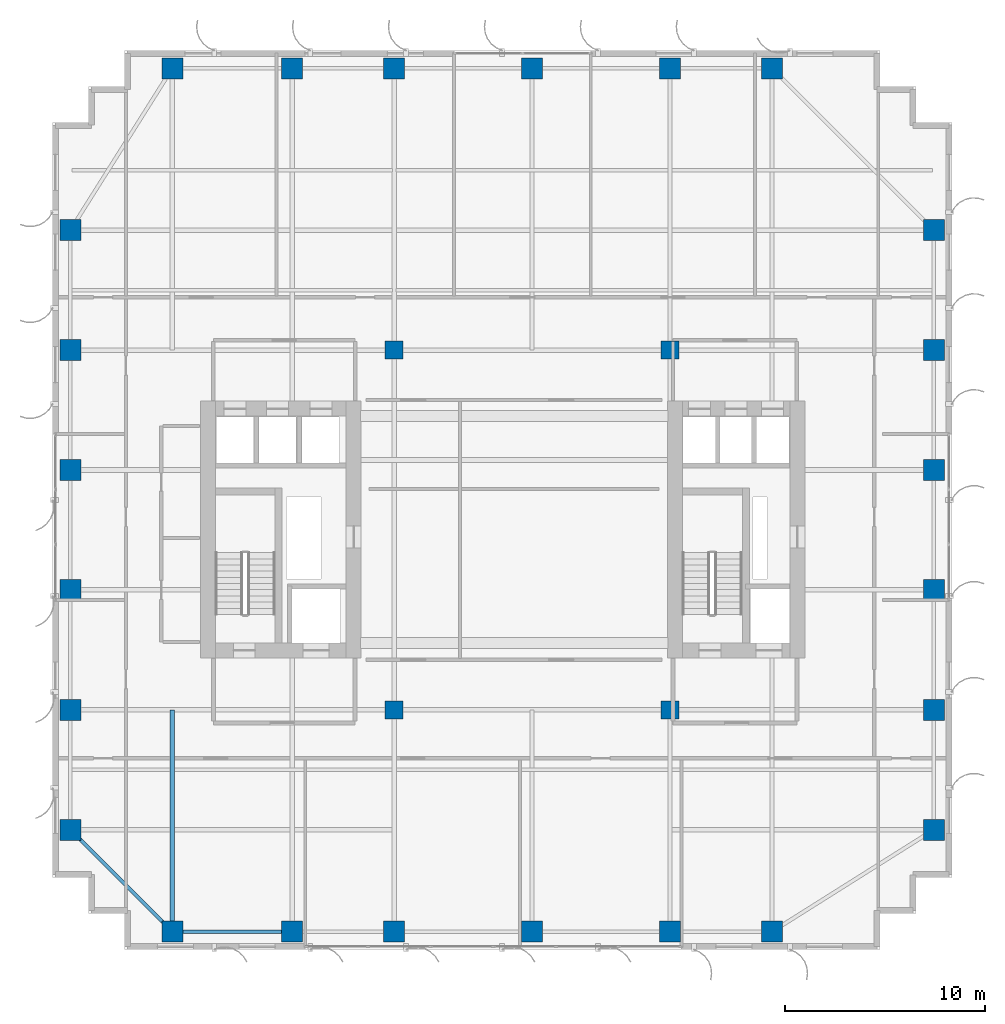
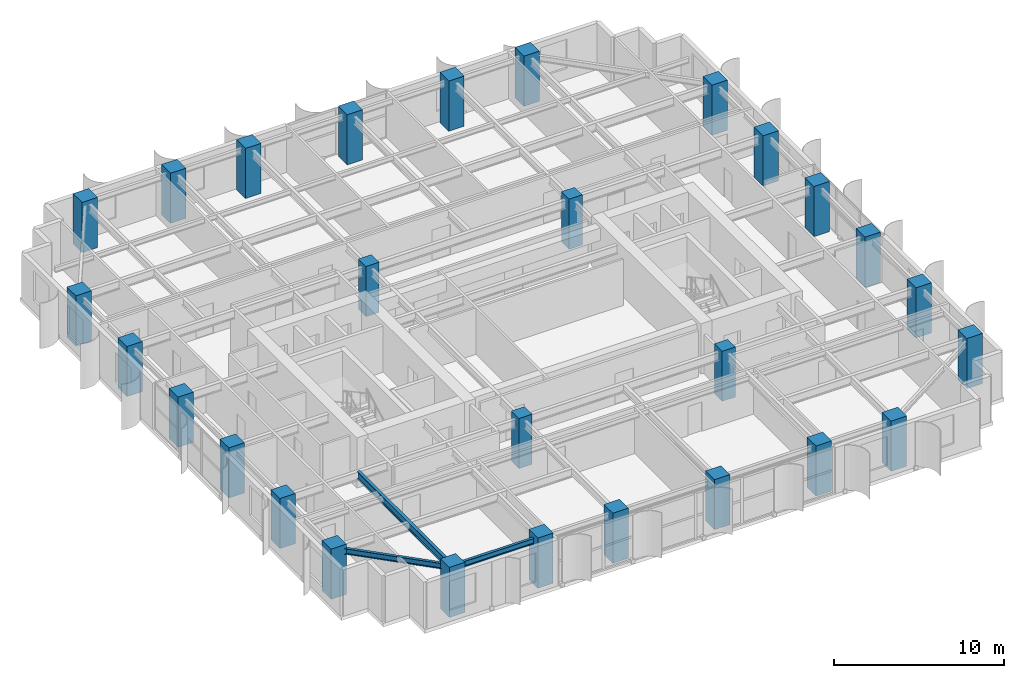
# One storey, part 1 of 22: 28 columns, 3 beams.
"""IFC4 building model written with IfcOpenShell, lengths in metres."""

from ifc_helpers import new_model, si_unit, direction, frame, origin, origin_2d, place, context, subcontext, project, spatial, rectangle, i_section, extrude, source, transform, mapped, material, material_profile, profile_set, type_object, element, save


model = new_model("IFC4")

# Units and contexts
model_context = context("Model", 3, precision=1e-05, world=origin(), true_north=direction((0.0, 1.0)))
body_context = subcontext(model_context, "Body", "Model", "MODEL_VIEW")
ifc_project = project(units=[si_unit("LENGTHUNIT", "METRE"), si_unit("AREAUNIT", "SQUARE_METRE"), si_unit("VOLUMEUNIT", "CUBIC_METRE"), si_unit("PLANEANGLEUNIT", "RADIAN"), si_unit("MASSUNIT", "GRAM", prefix="KILO")], contexts=[model_context])

# Site, building, storey
site_placement = place(None, origin())
site = spatial("IfcSite", under=ifc_project, at=site_placement, CompositionType="ELEMENT")
building_placement = place(site_placement, origin())
building = spatial("IfcBuilding", under=site, at=building_placement, Name="Khoralis Quay Care Tower", CompositionType="ELEMENT")
storey_placement = place(building_placement, frame((0.0, 0.0, 141.300048828125)))
storey = spatial("IfcBuildingStorey", under=building, at=storey_placement, Name="L37", CompositionType="ELEMENT", Elevation=141.300048828125)

# Columns
ifc_material_1 = material(Name="Concrete C65/80", Category="concrete")
ifc_material_profile_1 = material_profile(ifc_material_1, rectangle(XDim=1.050048828125, YDim=1.050048828125, at=origin_2d()), Name="Concrete C65/80")
ifc_profile_set_1 = profile_set([ifc_material_profile_1], Name="Concrete C65/80")
column_type_1 = type_object("IfcColumnType", Name="COL-C1050", PredefinedType="COLUMN", material=ifc_profile_set_1)
shared_shape_1 = source(origin(), body_context, "Body", "SweptSolid", [
    extrude(rectangle(XDim=1.050048828125, YDim=1.050048828125, at=origin_2d()), origin(), (0.0, 0.0, 1.0), 3.599853515625),
])
for number, where, z_axis, x_axis, name in (
    (1, (6.0, 0.89990234375, 0.0), (0.0, 0.0, 1.0), (1.0, 0.0, 0.0), "COL-TWR-L37-01"),
    (2, (6.0, 44.10009765625, 0.0), (0.0, 0.0, 1.0), (1.0, 0.0, 0.0), "COL-TWR-L37-02"),
    (3, (12.0, 0.89990234375, 0.0), (0.0, 0.0, 1.0), (1.0, 0.0, 0.0), "COL-TWR-L37-03"),
    (4, (12.0, 44.10009765625, 0.0), (0.0, 0.0, 1.0), (1.0, 0.0, 0.0), "COL-TWR-L37-04"),
    (5, (17.10009765625, 0.89990234375, 0.0), (0.0, 0.0, 1.0), (1.0, 0.0, 0.0), "COL-TWR-L37-05"),
    (6, (17.10009765625, 44.10009765625, 0.0), (0.0, 0.0, 1.0), (1.0, 0.0, 0.0), "COL-TWR-L37-06"),
    (7, (24.0, 0.89990234375, 0.0), (0.0, 0.0, 1.0), (1.0, 0.0, 0.0), "COL-TWR-L37-07"),
    (8, (24.0, 44.10009765625, 0.0), (0.0, 0.0, 1.0), (1.0, 0.0, 0.0), "COL-TWR-L37-08"),
    (9, (30.89990234375, 0.89990234375, 0.0), (0.0, 0.0, 1.0), (1.0, 0.0, 0.0), "COL-TWR-L37-09"),
    (10, (30.89990234375, 44.10009765625, 0.0), (0.0, 0.0, 1.0), (1.0, 0.0, 0.0), "COL-TWR-L37-10"),
    (11, (36.0, 0.89990234375, 0.0), (0.0, 0.0, 1.0), (1.0, 0.0, 0.0), "COL-TWR-L37-11"),
    (12, (36.0, 44.10009765625, 0.0), (0.0, 0.0, 1.0), (1.0, 0.0, 0.0), "COL-TWR-L37-12"),
    (13, (0.89990234375, 6.0, 0.0), (0.0, 0.0, 1.0), (1.0, 0.0, 0.0), "COL-TWR-L37-13"),
    (14, (44.10009765625, 6.0, 0.0), (0.0, 0.0, 1.0), (1.0, 0.0, 0.0), "COL-TWR-L37-14"),
    (15, (0.89990234375, 12.0, 0.0), (0.0, 0.0, 1.0), (1.0, 0.0, 0.0), "COL-TWR-L37-15"),
    (16, (44.10009765625, 12.0, 0.0), (0.0, 0.0, 1.0), (1.0, 0.0, 0.0), "COL-TWR-L37-16"),
    (17, (0.89990234375, 18.0, 0.0), (0.0, 0.0, 1.0), (1.0, 0.0, 0.0), "COL-TWR-L37-17"),
    (18, (44.10009765625, 18.0, 0.0), (0.0, 0.0, 1.0), (1.0, 0.0, 0.0), "COL-TWR-L37-18"),
    (19, (0.89990234375, 24.0, 0.0), (0.0, 0.0, 1.0), (1.0, 0.0, 0.0), "COL-TWR-L37-19"),
    (20, (44.10009765625, 24.0, 0.0), (0.0, 0.0, 1.0), (1.0, 0.0, 0.0), "COL-TWR-L37-20"),
    (21, (0.89990234375, 30.0, 0.0), (0.0, 0.0, 1.0), (1.0, 0.0, 0.0), "COL-TWR-L37-21"),
    (22, (44.10009765625, 30.0, 0.0), (0.0, 0.0, 1.0), (1.0, 0.0, 0.0), "COL-TWR-L37-22"),
    (23, (0.89990234375, 36.0, 0.0), (0.0, 0.0, 1.0), (1.0, 0.0, 0.0), "COL-TWR-L37-23"),
    (24, (44.10009765625, 36.0, 0.0), (0.0, 0.0, 1.0), (1.0, 0.0, 0.0), "COL-TWR-L37-24"),
):
    element("IfcColumn", number, at=place(storey_placement, frame(where, z_axis=z_axis, x_axis=x_axis)), inside=storey, type_object=column_type_1, Name=name, PredefinedType="COLUMN", context=body_context, shape_type="MappedRepresentation", body=[
        mapped(shared_shape_1, transform((0.0, 0.0, 0.0), scale=1.0)),
    ])
ifc_material_profile_2 = material_profile(ifc_material_1, rectangle(XDim=0.89990234375, YDim=0.89990234375, at=origin_2d()), Name="Concrete C65/80")
ifc_profile_set_2 = profile_set([ifc_material_profile_2], Name="Concrete C65/80")
column_type_2 = type_object("IfcColumnType", Name="COL-C900", PredefinedType="COLUMN", material=ifc_profile_set_2)
shared_shape_2 = source(origin(), body_context, "Body", "SweptSolid", [
    extrude(rectangle(XDim=0.89990234375, YDim=0.89990234375, at=origin_2d()), origin(), (0.0, 0.0, 1.0), 3.599853515625),
])
for number, where, z_axis, x_axis, name in (
    (25, (17.10009765625, 12.0, 0.0), (0.0, 0.0, 1.0), (1.0, 0.0, 0.0), "COL-TWR-L37-25"),
    (26, (17.10009765625, 30.0, 0.0), (0.0, 0.0, 1.0), (1.0, 0.0, 0.0), "COL-TWR-L37-26"),
    (27, (30.89990234375, 12.0, 0.0), (0.0, 0.0, 1.0), (1.0, 0.0, 0.0), "COL-TWR-L37-27"),
    (28, (30.89990234375, 30.0, 0.0), (0.0, 0.0, 1.0), (1.0, 0.0, 0.0), "COL-TWR-L37-28"),
):
    element("IfcColumn", number, at=place(storey_placement, frame(where, z_axis=z_axis, x_axis=x_axis)), inside=storey, type_object=column_type_2, Name=name, PredefinedType="COLUMN", context=body_context, shape_type="MappedRepresentation", body=[
        mapped(shared_shape_2, transform((0.0, 0.0, 0.0), scale=1.0)),
    ])

# Beams
ifc_material_2 = material(Name="Steel S355", Category="steel")
ifc_material_profile_3 = material_profile(ifc_material_2, i_section(OverallWidth=0.179931640625, OverallDepth=0.39990234375, WebThickness=0.008544921875, FlangeThickness=0.013427734375, FilletRadius=0.02099609375, at=origin_2d()), Name="Steel S355")
ifc_profile_set_3 = profile_set([ifc_material_profile_3], Name="Steel S355")
beam_type_1 = type_object("IfcBeamType", Name="BM-IPE400", PredefinedType="SPANDREL", material=ifc_profile_set_3)
shared_shape_3 = source(origin(), body_context, "Body", "SweptSolid", [
    extrude(i_section(OverallWidth=0.179931640625, OverallDepth=0.39990234375, WebThickness=0.008544921875, FlangeThickness=0.013427734375, FilletRadius=0.02099609375, at=origin_2d()), origin(), (0.0, 0.0, 1.0), 6.0),
])
beam_1_placement = place(storey_placement, frame((6.0, 0.89990234375, 3.119873046875), z_axis=(1.0, 0.0, 0.0), x_axis=(0.0, 1.0, 0.0)))
element("IfcBeam", 29, at=beam_1_placement, inside=storey, type_object=beam_type_1, Name="BM-TSP-L37-01", PredefinedType="SPANDREL", context=body_context, shape_type="MappedRepresentation", body=[
    mapped(shared_shape_3, transform((0.0, 0.0, 0.0), scale=1.0)),
])
shared_shape_4 = source(origin(), body_context, "Body", "SweptSolid", [
    extrude(i_section(OverallWidth=0.179931640625, OverallDepth=0.39990234375, WebThickness=0.008544921875, FlangeThickness=0.013427734375, FilletRadius=0.02099609375, at=origin_2d()), origin(), (0.0, 0.0, 1.0), 7.212646484375),
])
beam_2_placement = place(storey_placement, frame((6.0, 0.89990234375, 3.119873046875), z_axis=(-0.707106781187, 0.707106781187, 0.0), x_axis=(-0.707106781187, -0.707106781187, 0.0)))
element("IfcBeam", 30, at=beam_2_placement, inside=storey, type_object=beam_type_1, Name="BM-TCR-L37-21", PredefinedType="SPANDREL", context=body_context, shape_type="MappedRepresentation", body=[
    mapped(shared_shape_4, transform((0.0, 0.0, 0.0), scale=1.0)),
])
ifc_material_profile_4 = material_profile(ifc_material_2, i_section(OverallWidth=0.2119140625, OverallDepth=0.5439453125, WebThickness=0.01318359375, FlangeThickness=0.021240234375, FilletRadius=0.01611328125, at=origin_2d()), Name="Steel S355")
ifc_profile_set_4 = profile_set([ifc_material_profile_4], Name="Steel S355")
beam_type_2 = type_object("IfcBeamType", Name="BM-W530X123", PredefinedType="BEAM", material=ifc_profile_set_4)
shared_shape_5 = source(origin(), body_context, "Body", "SweptSolid", [
    extrude(i_section(OverallWidth=0.2119140625, OverallDepth=0.5439453125, WebThickness=0.01318359375, FlangeThickness=0.021240234375, FilletRadius=0.01611328125, at=origin_2d()), origin(), (0.0, 0.0, 1.0), 11.10009765625),
])
beam_3_placement = place(storey_placement, frame((6.0, 0.89990234375, 3.0478515625), z_axis=(0.0, 1.0, 0.0), x_axis=(-1.0, 0.0, 0.0)))
element("IfcBeam", 31, at=beam_3_placement, inside=storey, type_object=beam_type_2, Name="BM-TGYS-L37-60", PredefinedType="BEAM", context=body_context, shape_type="MappedRepresentation", body=[
    mapped(shared_shape_5, transform((0.0, 0.0, 0.0), scale=1.0)),
])

save(model, "model.ifc")
